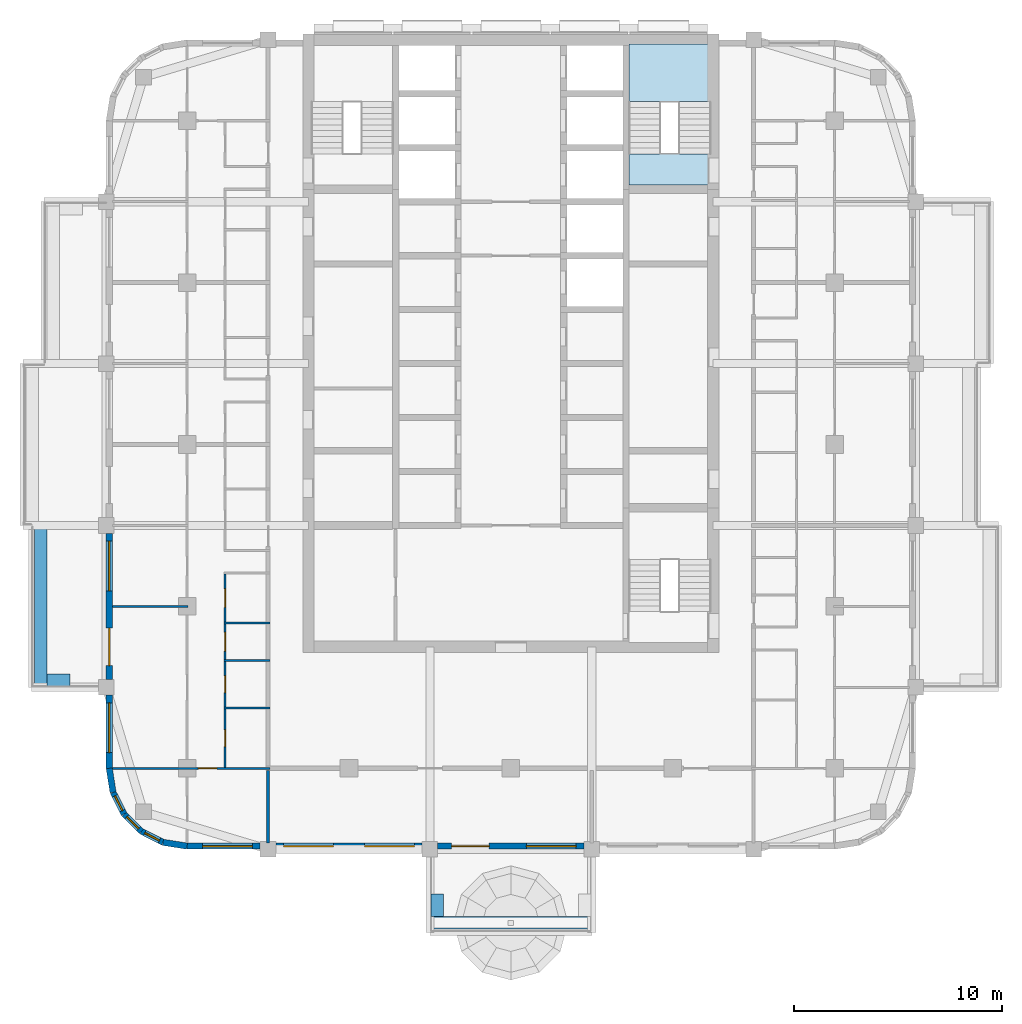
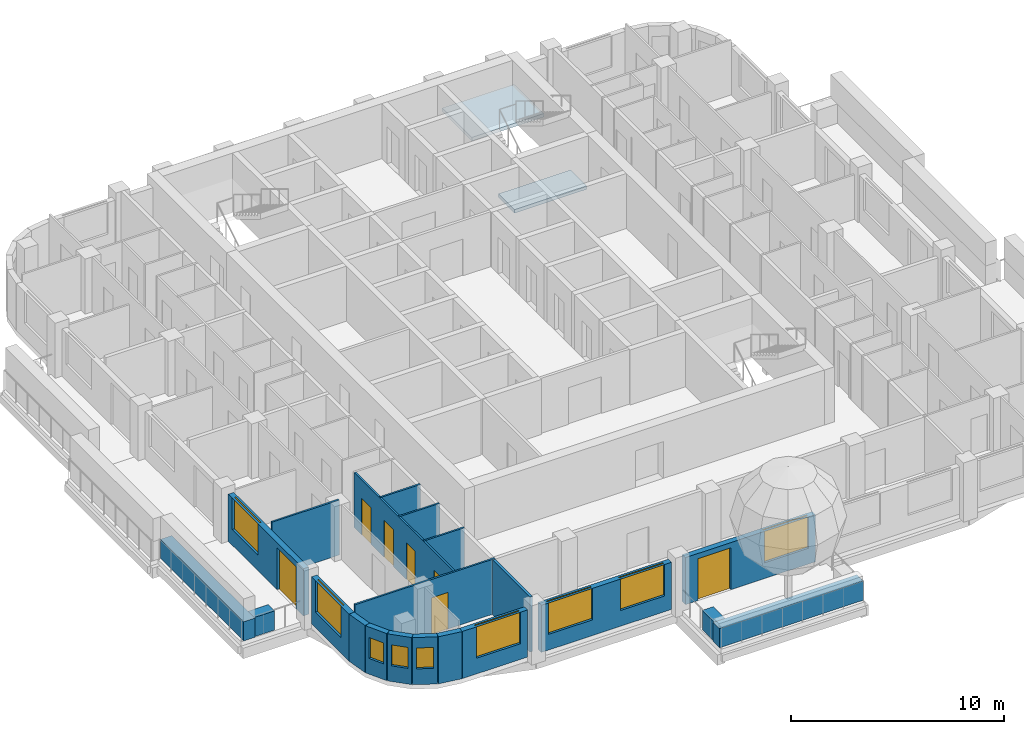
# One storey, part 2 of 14: 21 walls, 9 windows, 7 doors, 2 slabs, 16 openings, 1 element without a shape of its own.
"""IFC4 building model written with IfcOpenShell, lengths in metres."""

from ifc_helpers import new_model, si_unit, direction, frame, frame_2d, origin, place, context, subcontext, project, spatial, polyline, rectangle, outline, extrude, material, layer, layer_set, type_object, element, fill, aggregate, save


model = new_model("IFC4")

# Units and contexts
model_context = context("Model", 3, precision=1e-05, world=origin(), true_north=direction((0.0, 1.0)))
body_context = subcontext(model_context, "Body", "Model", "MODEL_VIEW")
ifc_project = project(units=[si_unit("LENGTHUNIT", "METRE"), si_unit("AREAUNIT", "SQUARE_METRE"), si_unit("VOLUMEUNIT", "CUBIC_METRE"), si_unit("PLANEANGLEUNIT", "RADIAN"), si_unit("MASSUNIT", "GRAM", prefix="KILO")], contexts=[model_context])

# Site, building, storey
site_placement = place(None, origin())
site = spatial("IfcSite", under=ifc_project, at=site_placement, CompositionType="ELEMENT")
building_placement = place(site_placement, origin())
building = spatial("IfcBuilding", under=site, at=building_placement, Name="Ludao Terraces", CompositionType="ELEMENT")
storey_placement = place(building_placement, frame((0.0, 0.0, 182.60009765625)))
storey = spatial("IfcBuildingStorey", under=building, at=storey_placement, Name="L49", CompositionType="ELEMENT", Elevation=182.60009765625)

# Stair, slabs
ifc_material_1 = material(Name="Concrete C40", Category="concrete")
stair_type = type_object("IfcStairType", Name="INT Stair", PredefinedType="HALF_TURN_STAIR", material=ifc_material_1)
stair_placement = place(storey_placement, origin())
stair = element("IfcStair", 1, at=stair_placement, inside=storey, type_object=stair_type, Name="EXIT STAIR 2", PredefinedType="HALF_TURN_STAIR")
ifc_layer_1 = layer(ifc_material_1, 0.199951171875)
ifc_layer_set_1 = layer_set([ifc_layer_1], Name="INT Stair landing 200")
slab_type = type_object("IfcSlabType", Name="INT Stair landing 200", PredefinedType="LANDING", material=ifc_layer_set_1)
slab_1_placement = place(storey_placement, frame((0.0, 0.0, 1.5)))
slab_1 = element("IfcSlab", 2, at=slab_1_placement, type_object=slab_type, Name="ST2 landing 1", PredefinedType="LANDING", context=body_context, shape_type="SweptSolid", body=[
    extrude(outline(polyline([(90.699951171875, 81.52001953125), (94.60009765625, 81.52001953125), (94.60009765625, 84.300048828125), (90.699951171875, 84.300048828125), (90.699951171875, 81.52001953125)])), origin(), (0.0, 0.0, 1.0), 0.199951171875),
])
slab_2_placement = place(storey_placement, frame((0.0, 0.0, -0.2001953125)))
slab_2 = element("IfcSlab", 3, at=slab_2_placement, type_object=slab_type, Name="ST2 landing 2", PredefinedType="LANDING", context=body_context, shape_type="SweptSolid", body=[
    extrude(outline(polyline([(90.699951171875, 77.5), (94.60009765625, 77.5), (94.60009765625, 79.0), (90.699951171875, 79.0), (90.699951171875, 77.5)])), origin(), (0.0, 0.0, 1.0), 0.2001953125),
])
aggregate(stair, [slab_1, slab_2])

# Walls
ifc_layer_2 = layer(ifc_material_1, 0.60009765625)
ifc_layer_set_2 = layer_set([ifc_layer_2], Name="ENV Planter trough 600")
wall_type_1 = type_object("IfcWallType", Name="ENV Planter trough 600", PredefinedType="USERDEFINED", material=ifc_layer_set_2)
wall_1_placement = place(storey_placement, frame((81.10009765625, 41.949951171875, 0.0), z_axis=(0.0, 0.0, 1.0), x_axis=(1.0, 0.0, 0.0)))
element("IfcWall", 4, at=wall_1_placement, inside=storey, type_object=wall_type_1, Name="PL-L49-S1", ObjectType="PLANTER", PredefinedType="USERDEFINED", context=body_context, shape_type="SweptSolid", body=[
    extrude(rectangle(XDim=7.7998046875, YDim=0.60009765625, at=frame_2d((3.89990234375, 0.0))), origin(), (0.0, 0.0, 1.0), 1.099853515625),
])
wall_2_placement = place(storey_placement, frame((81.449951171875, 42.25, 0.0), z_axis=(0.0, 0.0, 1.0), x_axis=(0.0, 1.0, 0.0)))
element("IfcWall", 5, at=wall_2_placement, inside=storey, type_object=wall_type_1, Name="PL-L49-S1-SA", ObjectType="PLANTER", PredefinedType="USERDEFINED", context=body_context, shape_type="SweptSolid", body=[
    extrude(rectangle(XDim=1.10009765625, YDim=0.60009765625, at=frame_2d((0.550048828125, 0.0))), origin(), (0.0, 0.0, 1.0), 1.099853515625),
])
wall_3_placement = place(storey_placement, frame((62.35009765625, 53.300048828125, 0.0), z_axis=(0.0, 0.0, 1.0), x_axis=(0.0, 1.0, 0.0)))
element("IfcWall", 6, at=wall_3_placement, inside=storey, type_object=wall_type_1, Name="PL-L49-W1", ObjectType="PLANTER", PredefinedType="USERDEFINED", context=body_context, shape_type="SweptSolid", body=[
    extrude(rectangle(XDim=7.800048828125, YDim=0.60009765625, at=frame_2d((3.89990234375, 0.0))), origin(), (0.0, 0.0, 1.0), 1.099853515625),
])
wall_4_placement = place(storey_placement, frame((62.64990234375, 53.64990234375, 0.0), z_axis=(0.0, 0.0, 1.0), x_axis=(1.0, 0.0, 0.0)))
element("IfcWall", 7, at=wall_4_placement, inside=storey, type_object=wall_type_1, Name="PL-L49-W1-SA", ObjectType="PLANTER", PredefinedType="USERDEFINED", context=body_context, shape_type="SweptSolid", body=[
    extrude(rectangle(XDim=1.10009765625, YDim=0.60009765625, at=frame_2d((0.550048828125, 0.0))), origin(), (0.0, 0.0, 1.0), 1.099853515625),
])

# Wall, opening, window
ifc_material_2 = material(Name="Granite cladding", Category="masonry")
ifc_layer_3 = layer(ifc_material_2, 0.0400390625, Category="stone")
ifc_material_3 = material(Name="Mineral wool")
ifc_layer_4 = layer(ifc_material_3, 0.06005859375)
ifc_layer_5 = layer(ifc_material_1, 0.199951171875, Category="concrete")
ifc_layer_set_3 = layer_set([ifc_layer_3, ifc_layer_4, ifc_layer_5], Name="ENV Stone-clad wall 300")
wall_type_2 = type_object("IfcWallType", Name="ENV Stone-clad wall 300", PredefinedType="SOLIDWALL", material=ifc_layer_set_3)
wall_5_placement = place(storey_placement, frame((69.39990234375, 45.64990234375, 0.0), z_axis=(0.0, 0.0, 1.0), x_axis=(1.0, 0.0, 0.0)))
wall_5 = element("IfcWall", 8, at=wall_5_placement, inside=storey, type_object=wall_type_2, Name="EW-L49-S1", PredefinedType="SOLIDWALL", context=body_context, shape_type="SweptSolid", body=[
    extrude(rectangle(XDim=3.525146484375, YDim=0.300048828125, at=frame_2d((1.7626953125, 0.0))), origin(), (0.0, 0.0, 1.0), 2.699951171875),
])
opening_1_placement = place(wall_5_placement, frame((0.75, 0.0, 0.89990234375)))
opening_1 = element("IfcOpeningElement", 9, at=opening_1_placement, cuts=wall_5, Name="Opening W1", PredefinedType="OPENING", context=body_context, shape_type="SweptSolid", body=[
    extrude(rectangle(XDim=2.39990234375, YDim=1.800048828125, at=frame_2d((1.199951171875, 0.89990234375))), frame((0.0, 0.16015625, 0.0), z_axis=(0.0, -1.0, 0.0), x_axis=(1.0, 0.0, 0.0)), (0.0, 0.0, 1.0), 0.320068359375),
])
ifc_material_4 = material(Name="Clear glass in aluminium frame", Category="aluminium")
ifc_layer_6 = layer(ifc_material_4, 0.06005859375)
ifc_layer_set_4 = layer_set([ifc_layer_6], Name="ENV Window W1 2400x1800")
window_type_1 = type_object("IfcWindowType", Name="ENV Window W1 2400x1800", PartitioningType="DOUBLE_PANEL_VERTICAL", PredefinedType="WINDOW", material=ifc_layer_set_4)
window_1_placement = place(opening_1_placement, origin())
window_1 = element("IfcWindow", 10, at=window_1_placement, inside=storey, type_object=window_type_1, Name="W-L49-S1-1", OverallHeight=1.800048828125, OverallWidth=2.39990234375, PartitioningType="DOUBLE_PANEL_VERTICAL", PredefinedType="WINDOW", context=body_context, shape_type="SweptSolid", body=[
    extrude(rectangle(XDim=2.39990234375, YDim=1.800048828125, at=frame_2d((1.199951171875, 0.89990234375))), frame((0.0, 0.030029296875, 0.0), z_axis=(0.0, -1.0, 0.0), x_axis=(1.0, 0.0, 0.0)), (0.0, 0.0, 1.0), 0.06005859375),
])
fill(opening_1, window_1)

# Wall, openings, windows
wall_6_placement = place(storey_placement, frame((73.675048828125, 45.64990234375, 0.0), z_axis=(0.0, 0.0, 1.0), x_axis=(1.0, 0.0, 0.0)))
wall_6 = element("IfcWall", 11, at=wall_6_placement, inside=storey, type_object=wall_type_2, Name="EW-L49-S2", PredefinedType="SOLIDWALL", context=body_context, shape_type="SweptSolid", body=[
    extrude(rectangle(XDim=7.050048828125, YDim=0.300048828125, at=frame_2d((3.52490234375, 0.0))), origin(), (0.0, 0.0, 1.0), 2.699951171875),
])
opening_2_placement = place(wall_6_placement, frame((0.375, 0.0, 0.89990234375)))
opening_2 = element("IfcOpeningElement", 12, at=opening_2_placement, cuts=wall_6, Name="Opening W1", PredefinedType="OPENING", context=body_context, shape_type="SweptSolid", body=[
    extrude(rectangle(XDim=2.39990234375, YDim=1.800048828125, at=frame_2d((1.199951171875, 0.89990234375))), frame((0.0, 0.16015625, 0.0), z_axis=(0.0, -1.0, 0.0), x_axis=(1.0, 0.0, 0.0)), (0.0, 0.0, 1.0), 0.320068359375),
])
opening_3_placement = place(wall_6_placement, frame((4.27490234375, 0.0, 0.89990234375)))
opening_3 = element("IfcOpeningElement", 13, at=opening_3_placement, cuts=wall_6, Name="Opening W1", PredefinedType="OPENING", context=body_context, shape_type="SweptSolid", body=[
    extrude(rectangle(XDim=2.39990234375, YDim=1.800048828125, at=frame_2d((1.199951171875, 0.89990234375))), frame((0.0, 0.16015625, 0.0), z_axis=(0.0, -1.0, 0.0), x_axis=(1.0, 0.0, 0.0)), (0.0, 0.0, 1.0), 0.320068359375),
])
window_2_placement = place(opening_2_placement, origin())
window_2 = element("IfcWindow", 14, at=window_2_placement, inside=storey, type_object=window_type_1, Name="W-L49-S2-1", OverallHeight=1.800048828125, OverallWidth=2.39990234375, PartitioningType="DOUBLE_PANEL_VERTICAL", PredefinedType="WINDOW", context=body_context, shape_type="SweptSolid", body=[
    extrude(rectangle(XDim=2.39990234375, YDim=1.800048828125, at=frame_2d((1.199951171875, 0.89990234375))), frame((0.0, 0.030029296875, 0.0), z_axis=(0.0, -1.0, 0.0), x_axis=(1.0, 0.0, 0.0)), (0.0, 0.0, 1.0), 0.06005859375),
])
fill(opening_2, window_2)
window_3_placement = place(opening_3_placement, origin())
window_3 = element("IfcWindow", 15, at=window_3_placement, inside=storey, type_object=window_type_1, Name="W-L49-S2-2", OverallHeight=1.800048828125, OverallWidth=2.39990234375, PartitioningType="DOUBLE_PANEL_VERTICAL", PredefinedType="WINDOW", context=body_context, shape_type="SweptSolid", body=[
    extrude(rectangle(XDim=2.39990234375, YDim=1.800048828125, at=frame_2d((1.199951171875, 0.89990234375))), frame((0.0, 0.030029296875, 0.0), z_axis=(0.0, -1.0, 0.0), x_axis=(1.0, 0.0, 0.0)), (0.0, 0.0, 1.0), 0.06005859375),
])
fill(opening_3, window_3)

# Wall, openings, door, window
wall_7_placement = place(storey_placement, frame((81.47509765625, 45.64990234375, 0.0), z_axis=(0.0, 0.0, 1.0), x_axis=(1.0, 0.0, 0.0)))
wall_7 = element("IfcWall", 16, at=wall_7_placement, inside=storey, type_object=wall_type_2, Name="EW-L49-S3", PredefinedType="SOLIDWALL", context=body_context, shape_type="SweptSolid", body=[
    extrude(rectangle(XDim=7.0498046875, YDim=0.300048828125, at=frame_2d((3.52490234375, 0.0))), origin(), (0.0, 0.0, 1.0), 2.699951171875),
])
opening_4_placement = place(wall_7_placement, frame((0.675048828125, 0.0, 0.0)))
opening_4 = element("IfcOpeningElement", 17, at=opening_4_placement, cuts=wall_7, Name="Opening BD", PredefinedType="OPENING", context=body_context, shape_type="SweptSolid", body=[
    extrude(rectangle(XDim=1.800048828125, YDim=2.39990234375, at=frame_2d((0.89990234375, 1.199951171875))), frame((0.0, 0.16015625, 0.0), z_axis=(0.0, -1.0, 0.0), x_axis=(1.0, 0.0, 0.0)), (0.0, 0.0, 1.0), 0.320068359375),
])
opening_5_placement = place(wall_7_placement, frame((4.27490234375, 0.0, 0.89990234375)))
opening_5 = element("IfcOpeningElement", 18, at=opening_5_placement, cuts=wall_7, Name="Opening W1", PredefinedType="OPENING", context=body_context, shape_type="SweptSolid", body=[
    extrude(rectangle(XDim=2.39990234375, YDim=1.800048828125, at=frame_2d((1.199951171875, 0.89990234375))), frame((0.0, 0.16015625, 0.0), z_axis=(0.0, -1.0, 0.0), x_axis=(1.0, 0.0, 0.0)), (0.0, 0.0, 1.0), 0.320068359375),
])
ifc_material_5 = material(Name="Aluminium glazed door", Category="aluminium")
ifc_layer_7 = layer(ifc_material_5, 0.06005859375)
ifc_layer_set_5 = layer_set([ifc_layer_7], Name="ENV Balcony door BD 1800x2400")
door_type_1 = type_object("IfcDoorType", Name="ENV Balcony door BD 1800x2400", OperationType="DOUBLE_DOOR_SINGLE_SWING", PredefinedType="DOOR", material=ifc_layer_set_5)
door_1_placement = place(opening_4_placement, origin())
door_1 = element("IfcDoor", 19, at=door_1_placement, inside=storey, type_object=door_type_1, Name="BD-L49-S3-1", OperationType="DOUBLE_DOOR_SINGLE_SWING", OverallHeight=2.39990234375, OverallWidth=1.800048828125, PredefinedType="DOOR", context=body_context, shape_type="SweptSolid", body=[
    extrude(rectangle(XDim=1.800048828125, YDim=2.39990234375, at=frame_2d((0.89990234375, 1.199951171875))), frame((0.0, 0.02490234375, 0.0), z_axis=(0.0, -1.0, 0.0), x_axis=(1.0, 0.0, 0.0)), (0.0, 0.0, 1.0), 0.050048828125),
])
fill(opening_4, door_1)
window_4_placement = place(opening_5_placement, origin())
window_4 = element("IfcWindow", 20, at=window_4_placement, inside=storey, type_object=window_type_1, Name="W-L49-S3-2", OverallHeight=1.800048828125, OverallWidth=2.39990234375, PartitioningType="DOUBLE_PANEL_VERTICAL", PredefinedType="WINDOW", context=body_context, shape_type="SweptSolid", body=[
    extrude(rectangle(XDim=2.39990234375, YDim=1.800048828125, at=frame_2d((1.199951171875, 0.89990234375))), frame((0.0, 0.030029296875, 0.0), z_axis=(0.0, -1.0, 0.0), x_axis=(1.0, 0.0, 0.0)), (0.0, 0.0, 1.0), 0.06005859375),
])
fill(opening_5, window_4)

# Wall, opening, window
wall_8_placement = place(storey_placement, frame((65.64990234375, 49.39990234375, 0.0), z_axis=(0.0, 0.0, 1.0), x_axis=(0.0, 1.0, 0.0)))
wall_8 = element("IfcWall", 21, at=wall_8_placement, inside=storey, type_object=wall_type_2, Name="EW-L49-W1", PredefinedType="SOLIDWALL", context=body_context, shape_type="SweptSolid", body=[
    extrude(rectangle(XDim=3.525146484375, YDim=0.300048828125, at=frame_2d((1.7626953125, 0.0))), origin(), (0.0, 0.0, 1.0), 2.699951171875),
])
opening_6_placement = place(wall_8_placement, frame((0.75, 0.0, 0.89990234375)))
opening_6 = element("IfcOpeningElement", 22, at=opening_6_placement, cuts=wall_8, Name="Opening W1", PredefinedType="OPENING", context=body_context, shape_type="SweptSolid", body=[
    extrude(rectangle(XDim=2.39990234375, YDim=1.800048828125, at=frame_2d((1.199951171875, 0.89990234375))), frame((0.0, 0.16015625, 0.0), z_axis=(0.0, -1.0, 0.0), x_axis=(1.0, 0.0, 0.0)), (0.0, 0.0, 1.0), 0.320068359375),
])
window_5_placement = place(opening_6_placement, origin())
window_5 = element("IfcWindow", 23, at=window_5_placement, inside=storey, type_object=window_type_1, Name="W-L49-W1-1", OverallHeight=1.800048828125, OverallWidth=2.39990234375, PartitioningType="DOUBLE_PANEL_VERTICAL", PredefinedType="WINDOW", context=body_context, shape_type="SweptSolid", body=[
    extrude(rectangle(XDim=2.39990234375, YDim=1.800048828125, at=frame_2d((1.199951171875, 0.89990234375))), frame((0.0, 0.030029296875, 0.0), z_axis=(0.0, -1.0, 0.0), x_axis=(1.0, 0.0, 0.0)), (0.0, 0.0, 1.0), 0.06005859375),
])
fill(opening_6, window_5)

# Wall, openings, door, window
wall_9_placement = place(storey_placement, frame((65.64990234375, 53.675048828125, 0.0), z_axis=(0.0, 0.0, 1.0), x_axis=(0.0, 1.0, 0.0)))
wall_9 = element("IfcWall", 24, at=wall_9_placement, inside=storey, type_object=wall_type_2, Name="EW-L49-W2", PredefinedType="SOLIDWALL", context=body_context, shape_type="SweptSolid", body=[
    extrude(rectangle(XDim=7.050048828125, YDim=0.300048828125, at=frame_2d((3.52490234375, 0.0))), origin(), (0.0, 0.0, 1.0), 2.699951171875),
])
opening_7_placement = place(wall_9_placement, frame((0.675048828125, 0.0, 0.0)))
opening_7 = element("IfcOpeningElement", 25, at=opening_7_placement, cuts=wall_9, Name="Opening BD", PredefinedType="OPENING", context=body_context, shape_type="SweptSolid", body=[
    extrude(rectangle(XDim=1.800048828125, YDim=2.39990234375, at=frame_2d((0.89990234375, 1.199951171875))), frame((0.0, 0.16015625, 0.0), z_axis=(0.0, -1.0, 0.0), x_axis=(1.0, 0.0, 0.0)), (0.0, 0.0, 1.0), 0.320068359375),
])
opening_8_placement = place(wall_9_placement, frame((4.27490234375, 0.0, 0.89990234375)))
opening_8 = element("IfcOpeningElement", 26, at=opening_8_placement, cuts=wall_9, Name="Opening W1", PredefinedType="OPENING", context=body_context, shape_type="SweptSolid", body=[
    extrude(rectangle(XDim=2.39990234375, YDim=1.800048828125, at=frame_2d((1.199951171875, 0.89990234375))), frame((0.0, 0.16015625, 0.0), z_axis=(0.0, -1.0, 0.0), x_axis=(1.0, 0.0, 0.0)), (0.0, 0.0, 1.0), 0.320068359375),
])
door_2_placement = place(opening_7_placement, origin())
door_2 = element("IfcDoor", 27, at=door_2_placement, inside=storey, type_object=door_type_1, Name="BD-L49-W2-1", OperationType="DOUBLE_DOOR_SINGLE_SWING", OverallHeight=2.39990234375, OverallWidth=1.800048828125, PredefinedType="DOOR", context=body_context, shape_type="SweptSolid", body=[
    extrude(rectangle(XDim=1.800048828125, YDim=2.39990234375, at=frame_2d((0.89990234375, 1.199951171875))), frame((0.0, 0.02490234375, 0.0), z_axis=(0.0, -1.0, 0.0), x_axis=(1.0, 0.0, 0.0)), (0.0, 0.0, 1.0), 0.050048828125),
])
fill(opening_7, door_2)
window_6_placement = place(opening_8_placement, origin())
window_6 = element("IfcWindow", 28, at=window_6_placement, inside=storey, type_object=window_type_1, Name="W-L49-W2-2", OverallHeight=1.800048828125, OverallWidth=2.39990234375, PartitioningType="DOUBLE_PANEL_VERTICAL", PredefinedType="WINDOW", context=body_context, shape_type="SweptSolid", body=[
    extrude(rectangle(XDim=2.39990234375, YDim=1.800048828125, at=frame_2d((1.199951171875, 0.89990234375))), frame((0.0, 0.030029296875, 0.0), z_axis=(0.0, -1.0, 0.0), x_axis=(1.0, 0.0, 0.0)), (0.0, 0.0, 1.0), 0.06005859375),
])
fill(opening_8, window_6)

# Wall
wall_10_placement = place(storey_placement, frame((65.64990234375, 49.39990234375, 0.0), z_axis=(0.0, 0.0, 1.0), x_axis=(0.156496880861, -0.987678452879, 0.0)))
element("IfcWall", 29, at=wall_10_placement, inside=storey, type_object=wall_type_2, Name="EW-L49-SW1", PredefinedType="SOLIDWALL", context=body_context, shape_type="SweptSolid", body=[
    extrude(rectangle(XDim=1.173095703125, YDim=0.300048828125, at=frame_2d((0.58642578125, 0.0))), origin(), (0.0, 0.0, 1.0), 2.699951171875),
])

# Wall, opening, window
wall_11_placement = place(storey_placement, frame((65.83349609375, 48.2412109375, 0.0), z_axis=(0.0, 0.0, 1.0), x_axis=(0.454025524128, -0.890988677504, 0.0)))
wall_11 = element("IfcWall", 30, at=wall_11_placement, inside=storey, type_object=wall_type_2, Name="EW-L49-SW2", PredefinedType="SOLIDWALL", context=body_context, shape_type="SweptSolid", body=[
    extrude(rectangle(XDim=1.17333984375, YDim=0.300048828125, at=frame_2d((0.586669921875, 0.0))), origin(), (0.0, 0.0, 1.0), 2.699951171875),
])
opening_9_placement = place(wall_11_placement, frame((0.1865234375, 0.0, 0.89990234375)))
opening_9 = element("IfcOpeningElement", 31, at=opening_9_placement, cuts=wall_11, Name="Opening W3", PredefinedType="OPENING", context=body_context, shape_type="SweptSolid", body=[
    extrude(rectangle(XDim=0.800048828125, YDim=1.199951171875, at=frame_2d((0.39990234375, 0.60009765625))), frame((0.0, 0.16015625, 0.0), z_axis=(0.0, -1.0, 0.0), x_axis=(1.0, 0.0, 0.0)), (0.0, 0.0, 1.0), 0.320068359375),
])
ifc_layer_8 = layer(ifc_material_4, 0.06005859375)
ifc_layer_set_6 = layer_set([ifc_layer_8], Name="ENV Window W3 800x1200")
window_type_2 = type_object("IfcWindowType", Name="ENV Window W3 800x1200", PartitioningType="SINGLE_PANEL", PredefinedType="WINDOW", material=ifc_layer_set_6)
window_7_placement = place(opening_9_placement, origin())
window_7 = element("IfcWindow", 32, at=window_7_placement, inside=storey, type_object=window_type_2, Name="W-L49-SW2", OverallHeight=1.199951171875, OverallWidth=0.800048828125, PartitioningType="SINGLE_PANEL", PredefinedType="WINDOW", context=body_context, shape_type="SweptSolid", body=[
    extrude(rectangle(XDim=0.800048828125, YDim=1.199951171875, at=frame_2d((0.39990234375, 0.60009765625))), frame((0.0, 0.030029296875, 0.0), z_axis=(0.0, -1.0, 0.0), x_axis=(1.0, 0.0, 0.0)), (0.0, 0.0, 1.0), 0.06005859375),
])
fill(opening_9, window_7)

wall_12_placement = place(storey_placement, frame((66.3662109375, 47.19580078125, 0.0), z_axis=(0.0, 0.0, 1.0), x_axis=(0.707106781187, -0.707106781187, 0.0)))
wall_12 = element("IfcWall", 33, at=wall_12_placement, inside=storey, type_object=wall_type_2, Name="EW-L49-SW3", PredefinedType="SOLIDWALL", context=body_context, shape_type="SweptSolid", body=[
    extrude(rectangle(XDim=1.173095703125, YDim=0.300048828125, at=frame_2d((0.58642578125, 0.0))), origin(), (0.0, 0.0, 1.0), 2.699951171875),
])
opening_10_placement = place(wall_12_placement, frame((0.1865234375, 0.0, 0.89990234375)))
opening_10 = element("IfcOpeningElement", 34, at=opening_10_placement, cuts=wall_12, Name="Opening W3", PredefinedType="OPENING", context=body_context, shape_type="SweptSolid", body=[
    extrude(rectangle(XDim=0.800048828125, YDim=1.199951171875, at=frame_2d((0.39990234375, 0.60009765625))), frame((0.0, 0.16015625, 0.0), z_axis=(0.0, -1.0, 0.0), x_axis=(1.0, 0.0, 0.0)), (0.0, 0.0, 1.0), 0.320068359375),
])
window_8_placement = place(opening_10_placement, origin())
window_8 = element("IfcWindow", 35, at=window_8_placement, inside=storey, type_object=window_type_2, Name="W-L49-SW3", OverallHeight=1.199951171875, OverallWidth=0.800048828125, PartitioningType="SINGLE_PANEL", PredefinedType="WINDOW", context=body_context, shape_type="SweptSolid", body=[
    extrude(rectangle(XDim=0.800048828125, YDim=1.199951171875, at=frame_2d((0.39990234375, 0.60009765625))), frame((0.0, 0.030029296875, 0.0), z_axis=(0.0, -1.0, 0.0), x_axis=(1.0, 0.0, 0.0)), (0.0, 0.0, 1.0), 0.06005859375),
])
fill(opening_10, window_8)

wall_13_placement = place(storey_placement, frame((67.19580078125, 46.3662109375, 0.0), z_axis=(0.0, 0.0, 1.0), x_axis=(0.890988677504, -0.454025524128, 0.0)))
wall_13 = element("IfcWall", 36, at=wall_13_placement, inside=storey, type_object=wall_type_2, Name="EW-L49-SW4", PredefinedType="SOLIDWALL", context=body_context, shape_type="SweptSolid", body=[
    extrude(rectangle(XDim=1.17333984375, YDim=0.300048828125, at=frame_2d((0.586669921875, 0.0))), origin(), (0.0, 0.0, 1.0), 2.699951171875),
])
opening_11_placement = place(wall_13_placement, frame((0.1865234375, 0.0, 0.89990234375)))
opening_11 = element("IfcOpeningElement", 37, at=opening_11_placement, cuts=wall_13, Name="Opening W3", PredefinedType="OPENING", context=body_context, shape_type="SweptSolid", body=[
    extrude(rectangle(XDim=0.800048828125, YDim=1.199951171875, at=frame_2d((0.39990234375, 0.60009765625))), frame((0.0, 0.16015625, 0.0), z_axis=(0.0, -1.0, 0.0), x_axis=(1.0, 0.0, 0.0)), (0.0, 0.0, 1.0), 0.320068359375),
])
window_9_placement = place(opening_11_placement, origin())
window_9 = element("IfcWindow", 38, at=window_9_placement, inside=storey, type_object=window_type_2, Name="W-L49-SW4", OverallHeight=1.199951171875, OverallWidth=0.800048828125, PartitioningType="SINGLE_PANEL", PredefinedType="WINDOW", context=body_context, shape_type="SweptSolid", body=[
    extrude(rectangle(XDim=0.800048828125, YDim=1.199951171875, at=frame_2d((0.39990234375, 0.60009765625))), frame((0.0, 0.030029296875, 0.0), z_axis=(0.0, -1.0, 0.0), x_axis=(1.0, 0.0, 0.0)), (0.0, 0.0, 1.0), 0.06005859375),
])
fill(opening_11, window_9)

# Wall
wall_14_placement = place(storey_placement, frame((68.2412109375, 45.83349609375, 0.0), z_axis=(0.0, 0.0, 1.0), x_axis=(0.987678452879, -0.156496880861, 0.0)))
element("IfcWall", 39, at=wall_14_placement, inside=storey, type_object=wall_type_2, Name="EW-L49-SW5", PredefinedType="SOLIDWALL", context=body_context, shape_type="SweptSolid", body=[
    extrude(rectangle(XDim=1.173095703125, YDim=0.300048828125, at=frame_2d((0.58642578125, 0.0))), origin(), (0.0, 0.0, 1.0), 2.699951171875),
])

# Wall, opening, door
ifc_material_6 = material(Name="Gypsum plasterboard", Category="gypsum")
ifc_layer_9 = layer(ifc_material_6, 0.012451171875, Category="gypsum")
ifc_layer_10 = layer(ifc_material_3, 0.06005859375, Name="insulation")
ifc_material_7 = material(Name="Steel Q235", Category="steel")
ifc_layer_11 = layer(ifc_material_7, 0.014892578125, Name="stud")
ifc_layer_12 = layer(ifc_material_6, 0.012451171875, Category="gypsum")
ifc_layer_set_7 = layer_set([ifc_layer_9, ifc_layer_10, ifc_layer_11, ifc_layer_12], Name="INT Partition 100")
wall_type_3 = type_object("IfcWallType", Name="INT Partition 100", PredefinedType="PARTITIONING", material=ifc_layer_set_7)
wall_15_placement = place(storey_placement, frame((65.800048828125, 49.39990234375, 0.0), z_axis=(0.0, 0.0, 1.0), x_axis=(1.0, 0.0, 0.0)))
wall_15 = element("IfcWall", 40, at=wall_15_placement, inside=storey, type_object=wall_type_3, Name="PW-L49-PW000", PredefinedType="PARTITIONING", context=body_context, shape_type="SweptSolid", body=[
    extrude(rectangle(XDim=7.60009765625, YDim=0.10009765625, at=frame_2d((3.800048828125, 0.0))), origin(), (0.0, 0.0, 1.0), 3.14990234375),
])
opening_12_placement = place(wall_15_placement, frame((4.139892578125, 0.0, 0.0)))
opening_12 = element("IfcOpeningElement", 41, at=opening_12_placement, cuts=wall_15, Name="Opening R17-003", PredefinedType="OPENING", context=body_context, shape_type="SweptSolid", body=[
    extrude(rectangle(XDim=0.89990234375, YDim=2.10009765625, at=frame_2d((0.449951171875, 1.050048828125))), frame((0.0, 0.06005859375, 0.0), z_axis=(0.0, -1.0, 0.0), x_axis=(1.0, 0.0, 0.0)), (0.0, 0.0, 1.0), 0.1201171875),
])
ifc_material_8 = material(Name="Timber door leaf", Category="wood")
door_type_2 = type_object("IfcDoorType", Name="INT Room door 900", OperationType="SINGLE_SWING_LEFT", PredefinedType="DOOR", material=ifc_material_8)
door_3_placement = place(opening_12_placement, origin())
door_3 = element("IfcDoor", 42, at=door_3_placement, inside=storey, type_object=door_type_2, Name="DOOR 003", OperationType="SINGLE_SWING_RIGHT", OverallHeight=2.10009765625, OverallWidth=0.89990234375, PredefinedType="DOOR", context=body_context, shape_type="SweptSolid", body=[
    extrude(rectangle(XDim=0.89990234375, YDim=2.10009765625, at=frame_2d((0.449951171875, 1.050048828125))), frame((0.0, 0.02490234375, 0.0), z_axis=(0.0, -1.0, 0.0), x_axis=(1.0, 0.0, 0.0)), (0.0, 0.0, 1.0), 0.050048828125),
])
fill(opening_12, door_3)

# Walls
for number, where, z_axis, x_axis, name in (
    (43, (71.18017578125, 52.300048828125, 0.0), (0.0, 0.0, 1.0), (1.0, 0.0, 0.0), "PW-L49-PW003"),
    (44, (71.18017578125, 54.60009765625, 0.0), (0.0, 0.0, 1.0), (1.0, 0.0, 0.0), "PW-L49-PW006"),
    (45, (71.18017578125, 56.39990234375, 0.0), (0.0, 0.0, 1.0), (1.0, 0.0, 0.0), "PW-L49-PW009"),
):
    element("IfcWall", number, at=place(storey_placement, frame(where, z_axis=z_axis, x_axis=x_axis)), inside=storey, type_object=wall_type_3, Name=name, PredefinedType="PARTITIONING", context=body_context, shape_type="SweptSolid", body=[
        extrude(rectangle(XDim=2.219970703125, YDim=0.10009765625, at=frame_2d((1.10986328125, 0.0))), origin(), (0.0, 0.0, 1.0), 3.14990234375),
    ])
wall_16_placement = place(storey_placement, frame((65.800048828125, 57.199951171875, 0.0), z_axis=(0.0, 0.0, 1.0), x_axis=(1.0, 0.0, 0.0)))
element("IfcWall", 46, at=wall_16_placement, inside=storey, type_object=wall_type_3, Name="PW-L49-PW010", PredefinedType="PARTITIONING", context=body_context, shape_type="SweptSolid", body=[
    extrude(rectangle(XDim=3.650146484375, YDim=0.10009765625, at=frame_2d((1.8251953125, 0.0))), origin(), (0.0, 0.0, 1.0), 3.14990234375),
])

# Wall, openings, doors
wall_17_placement = place(storey_placement, frame((71.22998046875, 49.4501953125, 0.0), z_axis=(0.0, 0.0, 1.0), x_axis=(0.0, 1.0, 0.0)))
wall_17 = element("IfcWall", 47, at=wall_17_placement, inside=storey, type_object=wall_type_3, Name="PW-L49-PW047", PredefinedType="PARTITIONING", context=body_context, shape_type="SweptSolid", body=[
    extrude(rectangle(XDim=9.2998046875, YDim=0.10009765625, at=frame_2d((4.64990234375, 0.0))), origin(), (0.0, 0.0, 1.0), 3.14990234375),
])
opening_13_placement = place(wall_17_placement, frame((1.0, 0.0, 0.0)))
opening_13 = element("IfcOpeningElement", 48, at=opening_13_placement, cuts=wall_17, Name="Opening R17-007", PredefinedType="OPENING", context=body_context, shape_type="SweptSolid", body=[
    extrude(rectangle(XDim=0.800048828125, YDim=2.10009765625, at=frame_2d((0.39990234375, 1.050048828125))), frame((0.0, 0.06005859375, 0.0), z_axis=(0.0, -1.0, 0.0), x_axis=(1.0, 0.0, 0.0)), (0.0, 0.0, 1.0), 0.1201171875),
])
opening_14_placement = place(wall_17_placement, frame((3.599853515625, 0.0, 0.0)))
opening_14 = element("IfcOpeningElement", 49, at=opening_14_placement, cuts=wall_17, Name="Opening R17-011", PredefinedType="OPENING", context=body_context, shape_type="SweptSolid", body=[
    extrude(rectangle(XDim=0.800048828125, YDim=2.10009765625, at=frame_2d((0.39990234375, 1.050048828125))), frame((0.0, 0.06005859375, 0.0), z_axis=(0.0, -1.0, 0.0), x_axis=(1.0, 0.0, 0.0)), (0.0, 0.0, 1.0), 0.1201171875),
])
opening_15_placement = place(wall_17_placement, frame((5.599853515625, 0.0, 0.0)))
opening_15 = element("IfcOpeningElement", 50, at=opening_15_placement, cuts=wall_17, Name="Opening R17-015", PredefinedType="OPENING", context=body_context, shape_type="SweptSolid", body=[
    extrude(rectangle(XDim=0.89990234375, YDim=2.10009765625, at=frame_2d((0.449951171875, 1.050048828125))), frame((0.0, 0.06005859375, 0.0), z_axis=(0.0, -1.0, 0.0), x_axis=(1.0, 0.0, 0.0)), (0.0, 0.0, 1.0), 0.1201171875),
])
opening_16_placement = place(wall_17_placement, frame((7.699951171875, 0.0, 0.0)))
opening_16 = element("IfcOpeningElement", 51, at=opening_16_placement, cuts=wall_17, Name="Opening R17-020", PredefinedType="OPENING", context=body_context, shape_type="SweptSolid", body=[
    extrude(rectangle(XDim=0.89990234375, YDim=2.10009765625, at=frame_2d((0.449951171875, 1.050048828125))), frame((0.0, 0.06005859375, 0.0), z_axis=(0.0, -1.0, 0.0), x_axis=(1.0, 0.0, 0.0)), (0.0, 0.0, 1.0), 0.1201171875),
])
door_type_3 = type_object("IfcDoorType", Name="INT Bathroom door 900", OperationType="SINGLE_SWING_LEFT", PredefinedType="DOOR", material=ifc_material_8)
door_4_placement = place(opening_15_placement, origin())
door_4 = element("IfcDoor", 52, at=door_4_placement, inside=storey, type_object=door_type_3, Name="DOOR 015", OperationType="SINGLE_SWING_RIGHT", OverallHeight=2.10009765625, OverallWidth=0.89990234375, PredefinedType="DOOR", context=body_context, shape_type="SweptSolid", body=[
    extrude(rectangle(XDim=0.89990234375, YDim=2.10009765625, at=frame_2d((0.449951171875, 1.050048828125))), frame((0.0, 0.02490234375, 0.0), z_axis=(0.0, -1.0, 0.0), x_axis=(1.0, 0.0, 0.0)), (0.0, 0.0, 1.0), 0.050048828125),
])
fill(opening_15, door_4)
door_5_placement = place(opening_16_placement, origin())
door_5 = element("IfcDoor", 53, at=door_5_placement, inside=storey, type_object=door_type_3, Name="DOOR 020", OperationType="SINGLE_SWING_RIGHT", OverallHeight=2.10009765625, OverallWidth=0.89990234375, PredefinedType="DOOR", context=body_context, shape_type="SweptSolid", body=[
    extrude(rectangle(XDim=0.89990234375, YDim=2.10009765625, at=frame_2d((0.449951171875, 1.050048828125))), frame((0.0, 0.02490234375, 0.0), z_axis=(0.0, -1.0, 0.0), x_axis=(1.0, 0.0, 0.0)), (0.0, 0.0, 1.0), 0.050048828125),
])
fill(opening_16, door_5)
door_type_4 = type_object("IfcDoorType", Name="INT Store door 800", OperationType="SINGLE_SWING_LEFT", PredefinedType="DOOR", material=ifc_material_8)
door_6_placement = place(opening_13_placement, origin())
door_6 = element("IfcDoor", 54, at=door_6_placement, inside=storey, type_object=door_type_4, Name="DOOR 007", OperationType="SINGLE_SWING_LEFT", OverallHeight=2.10009765625, OverallWidth=0.800048828125, PredefinedType="DOOR", context=body_context, shape_type="SweptSolid", body=[
    extrude(rectangle(XDim=0.800048828125, YDim=2.10009765625, at=frame_2d((0.39990234375, 1.050048828125))), frame((0.0, 0.02490234375, 0.0), z_axis=(0.0, -1.0, 0.0), x_axis=(1.0, 0.0, 0.0)), (0.0, 0.0, 1.0), 0.050048828125),
])
fill(opening_13, door_6)
door_7_placement = place(opening_14_placement, origin())
door_7 = element("IfcDoor", 55, at=door_7_placement, inside=storey, type_object=door_type_4, Name="DOOR 011", OperationType="SINGLE_SWING_RIGHT", OverallHeight=2.10009765625, OverallWidth=0.800048828125, PredefinedType="DOOR", context=body_context, shape_type="SweptSolid", body=[
    extrude(rectangle(XDim=0.800048828125, YDim=2.10009765625, at=frame_2d((0.39990234375, 1.050048828125))), frame((0.0, 0.02490234375, 0.0), z_axis=(0.0, -1.0, 0.0), x_axis=(1.0, 0.0, 0.0)), (0.0, 0.0, 1.0), 0.050048828125),
])
fill(opening_14, door_7)

# Wall
ifc_material_9 = material(Name="Autoclaved aerated concrete block B06 A3.5", Category="concrete")
ifc_layer_13 = layer(ifc_material_9, 0.14990234375)
ifc_layer_set_8 = layer_set([ifc_layer_13], Name="INT Party wall 150")
wall_type_4 = type_object("IfcWallType", Name="INT Party wall 150", PredefinedType="PARTITIONING", material=ifc_layer_set_8)
wall_18_placement = place(storey_placement, frame((73.300048828125, 45.800048828125, 0.0), z_axis=(0.0, 0.0, 1.0), x_axis=(0.0, 1.0, 0.0)))
element("IfcWall", 56, at=wall_18_placement, inside=storey, type_object=wall_type_4, Name="PW-L49-PW051", PredefinedType="PARTITIONING", context=body_context, shape_type="SweptSolid", body=[
    extrude(rectangle(XDim=3.5, YDim=0.14990234375, at=frame_2d((1.75, 0.0))), origin(), (0.0, 0.0, 1.0), 3.14990234375),
])

save(model, "model.ifc")
